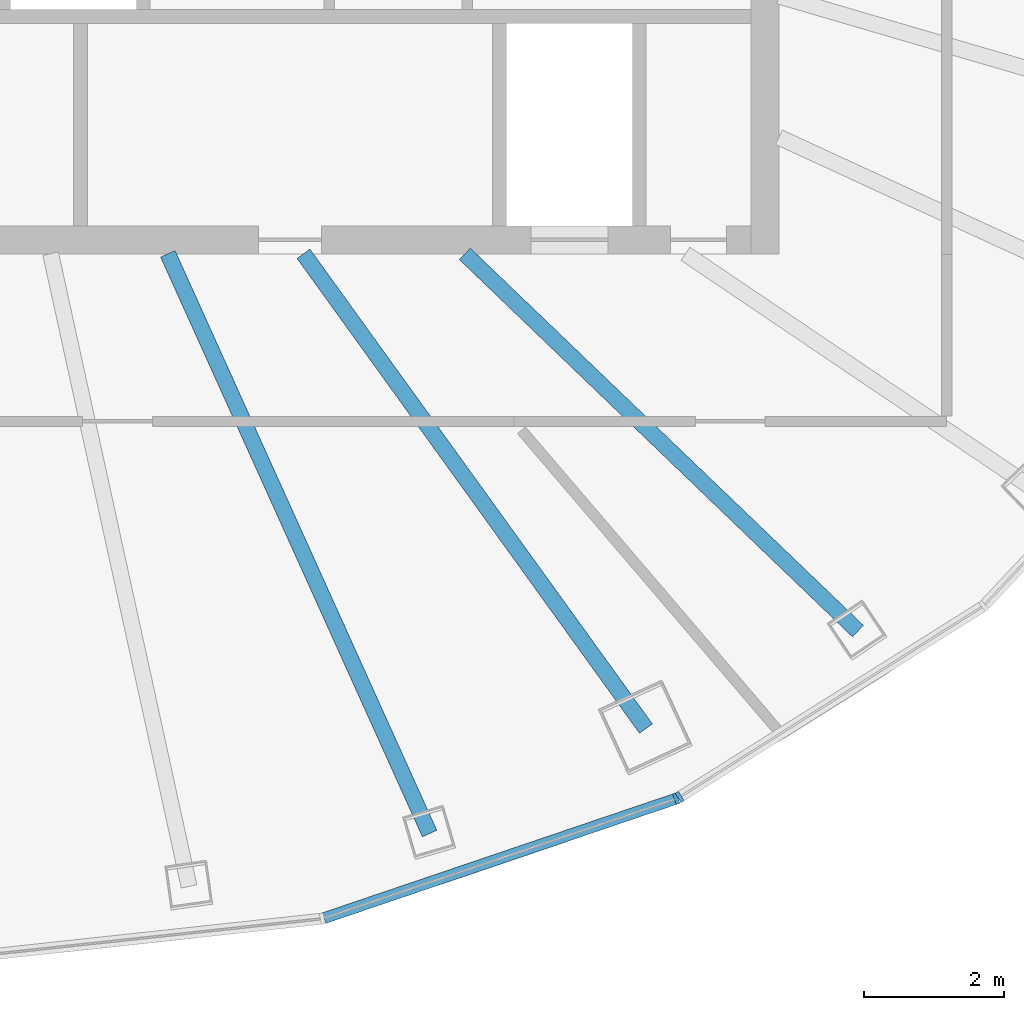
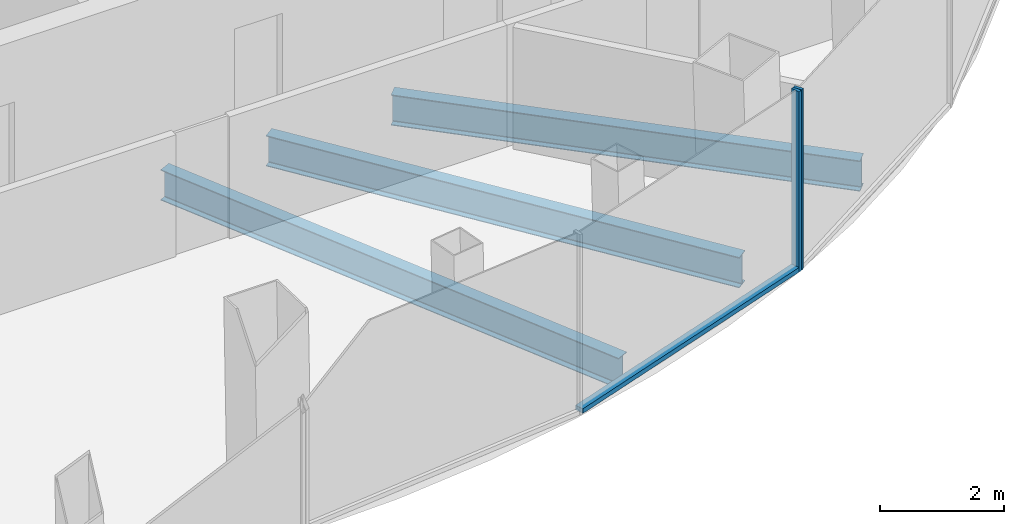
# One storey, part 3 of 11: 3 beams, 3 members, 2 elements without a shape of their own.
"""IFC4 building model written with IfcOpenShell, lengths in metres."""

import ifcopenshell
import ifcopenshell.guid

model = None  # the IFC model being written
_history = None  # IfcOwnerHistory: only IFC2X3 demands one
_inside = {}  # id of a spatial element -> (the spatial element, [elements in it])
_under = {}  # id of a project, library or spatial element -> (it, [spatial elements below it])
_declared = {}  # id of a project -> (the project, [libraries it declares])
_typed = {}  # id of a type object -> (the type object, [elements of that type])
_made_of = {}  # id of a material, layer set ... -> (it, [elements and type objects made of it])


def new_model(schema):
    """Start an empty IFC model of exactly this schema.

    Asked for "IFC4X3", IfcOpenShell would pick the latest addendum, in which some entities
    have other attributes; the version numbers below select the first issue.
    IFC2X3 requires an IfcOwnerHistory on every rooted entity: one is made here for all.
    """
    global model, _history
    if schema == "IFC4X3":
        model = ifcopenshell.file(schema_version=(4, 3, 0, 0))
    else:
        model = ifcopenshell.file(schema=schema)
    _inside.clear()
    _under.clear()
    _declared.clear()
    _typed.clear()
    _made_of.clear()
    _history = None
    if model.schema == "IFC2X3":
        org = make("IfcOrganization", Name="unknown")
        user = make(
            "IfcPersonAndOrganization",
            ThePerson=make("IfcPerson", FamilyName="unknown"),
            TheOrganization=org,
        )
        app = make(
            "IfcApplication",
            ApplicationDeveloper=org,
            Version="unknown",
            ApplicationFullName="unknown",
            ApplicationIdentifier="unknown",
        )
        _history = make(
            "IfcOwnerHistory",
            OwningUser=user,
            OwningApplication=app,
            ChangeAction="ADDED",
            CreationDate=0,
        )
    return model


def make(cls, **values):
    """One entity of the class cls with the attributes given. An attribute that is None is left unset."""
    return model.create_entity(
        cls, **{name: value for name, value in values.items() if value is not None}
    )


def rooted(cls, **values):
    """An entity with a GlobalId (a new one), such as an element, a storey or a relation."""
    return make(cls, GlobalId=ifcopenshell.guid.new(), OwnerHistory=_history, **values)


def si_unit(unit_type, name, prefix=None):
    """IfcSIUnit, for example si_unit("LENGTHUNIT", "METRE", prefix="MILLI")."""
    return make("IfcSIUnit", UnitType=unit_type, Prefix=prefix, Name=name)


def assignment(units):
    """IfcUnitAssignment: the units of a project."""
    return None if units is None else make("IfcUnitAssignment", Units=units)


def point(xyz):
    """IfcCartesianPoint."""
    return None if xyz is None else make("IfcCartesianPoint", Coordinates=xyz)


def direction(xyz):
    """IfcDirection."""
    return None if xyz is None else make("IfcDirection", DirectionRatios=xyz)


def frame(location, z_axis=None, x_axis=None):
    """IfcAxis2Placement3D, a coordinate frame: its origin and axes. An axis left out is left unset."""
    return make(
        "IfcAxis2Placement3D",
        Location=point(location),
        Axis=direction(z_axis),
        RefDirection=direction(x_axis),
    )


def frame_2d(location, x_axis=None):
    """IfcAxis2Placement2D, a coordinate frame in the plane: its origin and x axis."""
    return make(
        "IfcAxis2Placement2D", Location=point(location), RefDirection=direction(x_axis)
    )


def origin():
    """The frame at (0, 0, 0) with its axes left unset."""
    return frame((0.0, 0.0, 0.0))


def origin_2d():
    """The frame at (0, 0) in the plane with its x axis left unset."""
    return frame_2d((0.0, 0.0))


def place(relative_to, where):
    """IfcLocalPlacement: puts the frame where relative to a parent placement (None: the world)."""
    return make(
        "IfcLocalPlacement", PlacementRelTo=relative_to, RelativePlacement=where
    )


def context(
    kind, dimensions, precision=None, world=None, true_north=None, identifier=None
):
    """IfcGeometricRepresentationContext, for example the 3D "Model" context."""
    return make(
        "IfcGeometricRepresentationContext",
        ContextIdentifier=identifier,
        ContextType=kind,
        CoordinateSpaceDimension=dimensions,
        Precision=precision,
        WorldCoordinateSystem=world,
        TrueNorth=true_north,
    )


def subcontext(parent, identifier, kind, view, scale=None):
    """IfcGeometricRepresentationSubContext, for example "Body" below "Model"."""
    return make(
        "IfcGeometricRepresentationSubContext",
        ContextIdentifier=identifier,
        ContextType=kind,
        ParentContext=parent,
        TargetScale=scale,
        TargetView=view,
    )


def project(units=None, contexts=None):
    """IfcProject with its units and contexts."""
    return rooted(
        "IfcProject",
        Name="project",
        RepresentationContexts=contexts,
        UnitsInContext=assignment(units),
    )


def spatial(cls, under=None, at=None, **own):
    """A site, building, storey or space (cls), placed at a placement, below another one or the project."""
    s = rooted(cls, ObjectPlacement=at, **own)
    if under is not None:
        _under.setdefault(under.id(), (under, []))[1].append(s)
    return s


def profile(cls, at=None, kind="AREA", **sizes):
    """A parametric profile (cls). Its sizes go by their IFC names, for example OverallWidth=200.0."""
    return make(cls, ProfileType=kind, Position=at, **sizes)


def rectangle(**sizes):
    """IfcRectangleProfileDef."""
    return profile("IfcRectangleProfileDef", **sizes)


def i_section(**sizes):
    """IfcIShapeProfileDef."""
    return profile("IfcIShapeProfileDef", **sizes)


def extrude(swept, where, along, depth):
    """IfcExtrudedAreaSolid: the profile swept, set in the frame where, extruded along a direction by depth."""
    return make(
        "IfcExtrudedAreaSolid",
        SweptArea=swept,
        Position=where,
        ExtrudedDirection=direction(along),
        Depth=depth,
    )


def shape(context_of_items, identifier, shape_type, items):
    """IfcShapeRepresentation: the items that make up one representation, for example the "Body"."""
    return make(
        "IfcShapeRepresentation",
        ContextOfItems=context_of_items,
        RepresentationIdentifier=identifier,
        RepresentationType=shape_type,
        Items=items,
    )


def material(Name=None, Category=None):
    """IfcMaterial."""
    return make("IfcMaterial", Name=Name, Category=Category)


def layer(
    of_material, thickness, ventilated=None, Name=None, Category=None, Priority=None
):
    """IfcMaterialLayer: one layer of a wall or slab, of a material (None: an air gap)."""
    return make(
        "IfcMaterialLayer",
        Material=of_material,
        LayerThickness=thickness,
        IsVentilated=ventilated,
        Name=Name,
        Category=Category,
        Priority=Priority,
    )


def layer_set(layers, Name=None):
    """IfcMaterialLayerSet."""
    return make("IfcMaterialLayerSet", MaterialLayers=layers, LayerSetName=Name)


def material_profile(
    of_material, cross_section, Name=None, Category=None, Priority=None
):
    """IfcMaterialProfile: a cross section and its material."""
    return make(
        "IfcMaterialProfile",
        Name=Name,
        Material=of_material,
        Profile=cross_section,
        Priority=Priority,
        Category=Category,
    )


def profile_set(profiles, Name=None, composite=None):
    """IfcMaterialProfileSet."""
    return make(
        "IfcMaterialProfileSet",
        Name=Name,
        MaterialProfiles=profiles,
        CompositeProfile=composite,
    )


def made_of(thing, what):
    """Note that an element or type object is made of a material, layer set ...; save() writes the relation."""
    if what is not None:
        _made_of.setdefault(what.id(), (what, []))[1].append(thing)
    return thing


def type_object(cls, material=None, **own):
    """A type object (cls), such as IfcWallType, which elements share."""
    return made_of(rooted(cls, **own), material)


def element(
    cls,
    number,
    at=None,
    inside=None,
    cuts=None,
    type_object=None,
    material=None,
    context=None,
    identifier="Body",
    shape_type=None,
    held_by="IfcProductDefinitionShape",
    body=None,
    shapes=None,
    **own,
):
    """One element of the class cls, such as IfcWall. Its Tag is "e" and its number.

    at: its placement. inside: the storey or other place that contains it. cuts: it is an
    opening in that element (IfcRelVoidsElement). A single representation is given by context,
    identifier, shape_type and body (its items); several are given by shapes. held_by: the class
    of the entity that holds the representations. save() writes the other relations.
    """
    e = rooted(cls, Tag="e%d" % number, ObjectPlacement=at, **own)
    if body is not None:
        shapes = [shape(context, identifier, shape_type, body)]
    if shapes is not None:
        e.Representation = make(held_by, Representations=shapes)
    if inside is not None:
        _inside.setdefault(inside.id(), (inside, []))[1].append(e)
    if cuts is not None:
        rooted(
            "IfcRelVoidsElement", RelatingBuildingElement=cuts, RelatedOpeningElement=e
        )
    if type_object is not None:
        _typed.setdefault(type_object.id(), (type_object, []))[1].append(e)
    return made_of(e, material)


def aggregate(whole, parts):
    """IfcRelAggregates: a whole, such as a stair, and the parts it consists of."""
    return rooted("IfcRelAggregates", RelatingObject=whole, RelatedObjects=parts)


def save(model, path):
    """Write the relations noted so far, then the file.

    IfcRelAggregates (storeys below a building ...), IfcRelContainedInSpatialStructure (elements
    in a storey), IfcRelDefinesByType, IfcRelAssociatesMaterial and IfcRelDeclares: one each for
    every whole, place, type object, material and project.
    """
    for whole, parts in _under.values():
        aggregate(whole, parts)
    for where, things in _inside.values():
        rooted(
            "IfcRelContainedInSpatialStructure",
            RelatedElements=things,
            RelatingStructure=where,
        )
    for kind, things in _typed.values():
        rooted("IfcRelDefinesByType", RelatedObjects=things, RelatingType=kind)
    for what, things in _made_of.values():
        rooted("IfcRelAssociatesMaterial", RelatedObjects=things, RelatingMaterial=what)
    for by, libraries in _declared.values():
        rooted("IfcRelDeclares", RelatingContext=by, RelatedDefinitions=libraries)
    model.write(path)


model = new_model("IFC4")

# Units and contexts
model_context = context("Model", 3, precision=1e-05, world=origin(), true_north=direction((0.0, 1.0)))
body_context = subcontext(model_context, "Body", "Model", "MODEL_VIEW")
ifc_project = project(units=[si_unit("LENGTHUNIT", "METRE"), si_unit("AREAUNIT", "SQUARE_METRE"), si_unit("VOLUMEUNIT", "CUBIC_METRE"), si_unit("PLANEANGLEUNIT", "RADIAN"), si_unit("MASSUNIT", "GRAM", prefix="KILO")], contexts=[model_context])

# Site, building, storey
site_placement = place(None, origin())
site = spatial("IfcSite", under=ifc_project, at=site_placement, CompositionType="ELEMENT")
building_placement = place(site_placement, origin())
building = spatial("IfcBuilding", under=site, at=building_placement, Name="Siaravel Broadcast Tower", CompositionType="ELEMENT")
storey_placement = place(building_placement, frame((0.0, 0.0, 243.0)))
storey = spatial("IfcBuildingStorey", under=building, at=storey_placement, Name="L59", CompositionType="ELEMENT", Elevation=243.0)

# Beams
ifc_material_1 = material(Name="Steel S355", Category="steel")
ifc_material_profile_1 = material_profile(ifc_material_1, i_section(OverallWidth=0.2275390625, OverallDepth=0.6025390625, WebThickness=0.010498046875, FlangeThickness=0.014892578125, FilletRadius=0.0126953125, at=origin_2d()))
ifc_profile_set_1 = profile_set([ifc_material_profile_1], Name="Steel S355")
beam_type = type_object("IfcBeamType", Name="BM-UB 610x229x101", PredefinedType="BEAM", material=ifc_profile_set_1)
beam_1_placement = place(storey_placement, frame((6.9990234375, -15.498779296875, -0.451416015625), z_axis=(-0.411559424, 0.911382928, 0.0), x_axis=(-0.911382928, -0.411559424, 0.0)))
element("IfcBeam", 1, at=beam_1_placement, inside=storey, type_object=beam_type, Name="Radial beam RB30", PredefinedType="BEAM", context=body_context, shape_type="SweptSolid", body=[
    extrude(i_section(OverallWidth=0.2275390625, OverallDepth=0.6025390625, WebThickness=0.010498046875, FlangeThickness=0.014892578125, FilletRadius=0.0126953125, at=origin_2d()), origin(), (0.0, 0.0, 1.0), 9.105712890625),
])
beam_2_placement = place(storey_placement, frame((10.095703125, -13.995849609375, -0.451416015625), z_axis=(-0.585016008, 0.811021744, 0.0), x_axis=(-0.811021744, -0.585016008, 0.0)))
element("IfcBeam", 2, at=beam_2_placement, inside=storey, type_object=beam_type, Name="Radial beam RB31", PredefinedType="BEAM", context=body_context, shape_type="SweptSolid", body=[
    extrude(i_section(OverallWidth=0.2275390625, OverallDepth=0.6025390625, WebThickness=0.010498046875, FlangeThickness=0.014892578125, FilletRadius=0.0126953125, at=origin_2d()), origin(), (0.0, 0.0, 1.0), 8.37939453125),
])
beam_3_placement = place(storey_placement, frame((13.130126953125, -12.6005859375, -0.451416015625), z_axis=(-0.721496776, 0.692417795, 0.0), x_axis=(-0.692417795, -0.721496776, 0.0)))
element("IfcBeam", 3, at=beam_3_placement, inside=storey, type_object=beam_type, Name="Radial beam RB32", PredefinedType="BEAM", context=body_context, shape_type="SweptSolid", body=[
    extrude(i_section(OverallWidth=0.2275390625, OverallDepth=0.6025390625, WebThickness=0.010498046875, FlangeThickness=0.014892578125, FilletRadius=0.0126953125, at=origin_2d()), origin(), (0.0, 0.0, 1.0), 7.799560546875),
])

# Curtain wall, member
ifc_material_2 = material(Name="Aluminium 6063-T6", Category="aluminium")
ifc_layer = layer(ifc_material_2, 0.159912109375)
ifc_layer_set = layer_set([ifc_layer], Name="Aluminium 6063-T6")
curtain_wall_type = type_object("IfcCurtainWallType", Name="Unitised curtain wall, zone 4", PredefinedType="NOTDEFINED", material=ifc_layer_set)
curtain_wall_1_placement = place(storey_placement, origin())
curtain_wall_1 = element("IfcCurtainWall", 4, at=curtain_wall_1_placement, inside=storey, type_object=curtain_wall_type, Name="L59 Unitised curtain wall, zone 4 10", PredefinedType="NOTDEFINED")
ifc_material_profile_2 = material_profile(ifc_material_2, rectangle(XDim=0.159912109375, YDim=0.054931640625, at=origin_2d()))
ifc_profile_set_2 = profile_set([ifc_material_profile_2], Name="Aluminium 6063-T6")
member_type_1 = type_object("IfcMemberType", Name="CW-Z4 mullion", PredefinedType="MULLION", material=ifc_profile_set_2)
member_1_placement = place(storey_placement, frame((10.529296875, -14.998779296875, 0.0), z_axis=(0.0, 0.0, 1.0), x_axis=(-0.321301466, 0.946976963, 0.0)))
member_1 = element("IfcMember", 5, at=member_1_placement, type_object=member_type_1, Name="CW-Z4 mullion 3", PredefinedType="MULLION", context=body_context, shape_type="SweptSolid", body=[
    extrude(rectangle(XDim=0.159912109375, YDim=0.054931640625, at=origin_2d()), origin(), (0.0, 0.0, 1.0), 3.550048828125),
])

curtain_wall_2_placement = place(storey_placement, origin())
curtain_wall_2 = element("IfcCurtainWall", 6, at=curtain_wall_2_placement, inside=storey, type_object=curtain_wall_type, Name="L59 Unitised curtain wall, zone 4 11", PredefinedType="NOTDEFINED")
member_2_placement = place(storey_placement, frame((10.57861328125, -14.9755859375, 0.0), z_axis=(0.0, 0.0, 1.0), x_axis=(-0.532150463, 0.846649801, 0.0)))
member_2 = element("IfcMember", 7, at=member_2_placement, type_object=member_type_1, Name="CW-Z4 mullion 1", PredefinedType="MULLION", context=body_context, shape_type="SweptSolid", body=[
    extrude(rectangle(XDim=0.159912109375, YDim=0.054931640625, at=origin_2d()), origin(), (0.0, 0.0, 1.0), 3.550048828125),
])
aggregate(curtain_wall_2, [member_2])

# Member
ifc_material_profile_3 = material_profile(ifc_material_2, rectangle(XDim=0.159912109375, YDim=0.090087890625, at=origin_2d()))
ifc_profile_set_3 = profile_set([ifc_material_profile_3], Name="Aluminium 6063-T6")
member_type_2 = type_object("IfcMemberType", Name="CW-Z4 transom", PredefinedType="USERDEFINED", material=ifc_profile_set_3)
member_3_placement = place(storey_placement, frame((5.489501953125, -16.708984375, 0.044921875), z_axis=(0.946972687, 0.321314067, 0.0), x_axis=(-0.321314067, 0.946972687, 0.0)))
member_3 = element("IfcMember", 8, at=member_3_placement, type_object=member_type_2, Name="CW-Z4 transom 2", ObjectType="TRANSOM", PredefinedType="USERDEFINED", context=body_context, shape_type="SweptSolid", body=[
    extrude(rectangle(XDim=0.159912109375, YDim=0.090087890625, at=origin_2d()), origin(), (0.0, 0.0, 1.0), 5.29443359375),
])

aggregate(curtain_wall_1, [member_1, member_3])

save(model, "model.ifc")
